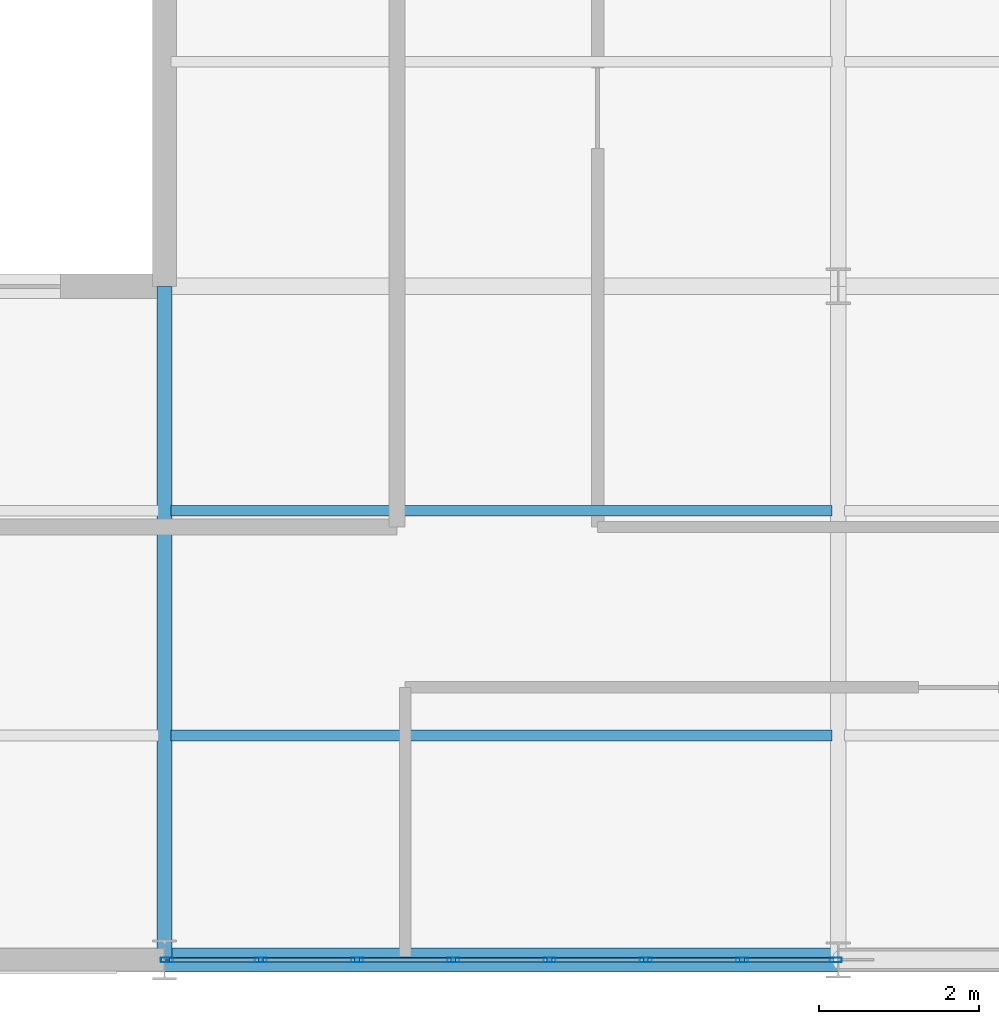
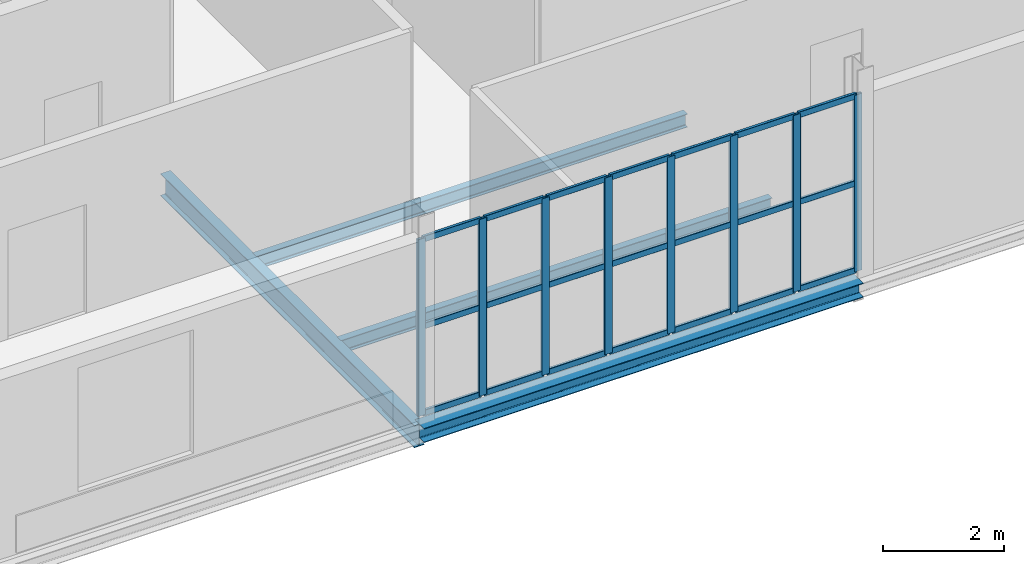
# One storey, part 18 of 69: 29 members, 4 beams, 1 element without a shape of its own.
"""IFC4 building model written with IfcOpenShell, lengths in metres."""

from ifc_helpers import new_model, si_unit, direction, frame, origin, origin_2d, place, context, subcontext, project, spatial, hollow_rectangle, i_section, extrude, material, layer, layer_set, material_profile, profile_set, type_object, element, aggregate, save


model = new_model("IFC4")

# Units and contexts
model_context = context("Model", 3, precision=1e-05, world=origin(), true_north=direction((0.0, 1.0)))
body_context = subcontext(model_context, "Body", "Model", "MODEL_VIEW")
ifc_project = project(units=[si_unit("LENGTHUNIT", "METRE"), si_unit("AREAUNIT", "SQUARE_METRE"), si_unit("VOLUMEUNIT", "CUBIC_METRE"), si_unit("PLANEANGLEUNIT", "RADIAN"), si_unit("MASSUNIT", "GRAM", prefix="KILO")], contexts=[model_context])

# Site, building, storey
site_placement = place(None, origin())
site = spatial("IfcSite", under=ifc_project, at=site_placement, CompositionType="ELEMENT")
building_placement = place(site_placement, origin())
building = spatial("IfcBuilding", under=site, at=building_placement, Name="Qalvenar Corner Mobility Hub", CompositionType="ELEMENT")
storey_placement = place(building_placement, frame((0.0, 0.0, 13.199951171875)))
storey = spatial("IfcBuildingStorey", under=building, at=storey_placement, Name="L03", CompositionType="ELEMENT", Elevation=13.199951171875)

# Beams
ifc_material_1 = material(Name="Steel S355", Category="steel")
ifc_material_profile_1 = material_profile(ifc_material_1, i_section(OverallWidth=0.18994140625, OverallDepth=0.449951171875, WebThickness=0.009521484375, FlangeThickness=0.0146484375, FilletRadius=0.02099609375, at=origin_2d()), Name="IPE450")
ifc_profile_set_1 = profile_set([ifc_material_profile_1], Name="Steel S355")
beam_type_1 = type_object("IfcBeamType", Name="BM-IPE450", PredefinedType="BEAM", material=ifc_profile_set_1)
beam_1_placement = place(storey_placement, frame((16.800048828125, 0.0, -0.405029296875), z_axis=(0.0, 1.0, 0.0), x_axis=(-1.0, 0.0, 0.0)))
element("IfcBeam", 1, at=beam_1_placement, inside=storey, type_object=beam_type_1, Name="Primary Steel Girder GY-2234", PredefinedType="BEAM", context=body_context, shape_type="SweptSolid", body=[
    extrude(i_section(OverallWidth=0.18994140625, OverallDepth=0.449951171875, WebThickness=0.009521484375, FlangeThickness=0.0146484375, FilletRadius=0.02099609375, at=origin_2d()), origin(), (0.0, 0.0, 1.0), 8.39990234375),
])
ifc_material_profile_2 = material_profile(ifc_material_1, i_section(OverallWidth=0.135009765625, OverallDepth=0.27001953125, WebThickness=0.006591796875, FlangeThickness=0.01025390625, FilletRadius=0.014892578125, at=origin_2d()), Name="IPE270")
ifc_profile_set_2 = profile_set([ifc_material_profile_2], Name="Steel S355")
beam_type_2 = type_object("IfcBeamType", Name="BM-JST270", PredefinedType="JOIST", material=ifc_profile_set_2)
for number, where, z_axis, x_axis, name in (
    (2, (16.8779296875, 2.800048828125, -0.31494140625), (1.0, 0.0, 0.0), (0.0, 1.0, 0.0), "Composite Floor Joist J-2278"),
    (3, (16.8779296875, 5.60009765625, -0.31494140625), (1.0, 0.0, 0.0), (0.0, 1.0, 0.0), "Composite Floor Joist J-2279"),
):
    element("IfcBeam", number, at=place(storey_placement, frame(where, z_axis=z_axis, x_axis=x_axis)), inside=storey, type_object=beam_type_2, Name=name, PredefinedType="JOIST", context=body_context, shape_type="SweptSolid", body=[
        extrude(i_section(OverallWidth=0.135009765625, OverallDepth=0.27001953125, WebThickness=0.006591796875, FlangeThickness=0.01025390625, FilletRadius=0.014892578125, at=origin_2d()), origin(), (0.0, 0.0, 1.0), 8.244140625),
    ])
ifc_material_profile_3 = material_profile(ifc_material_1, i_section(OverallWidth=0.300048828125, OverallDepth=0.2900390625, WebThickness=0.008544921875, FlangeThickness=0.013916015625, FilletRadius=0.027099609375, at=origin_2d()), Name="HEA300")
ifc_profile_set_3 = profile_set([ifc_material_profile_3], Name="Steel S355")
beam_type_3 = type_object("IfcBeamType", Name="BM-SPN300", PredefinedType="SPANDREL", material=ifc_profile_set_3)
beam_2_placement = place(storey_placement, frame((16.800048828125, 0.0, -0.324951171875), z_axis=(1.0, 0.0, 0.0), x_axis=(0.0, 1.0, 0.0)))
element("IfcBeam", 4, at=beam_2_placement, inside=storey, type_object=beam_type_3, Name="Primary Steel Girder GX-2190", PredefinedType="SPANDREL", context=body_context, shape_type="SweptSolid", body=[
    extrude(i_section(OverallWidth=0.300048828125, OverallDepth=0.2900390625, WebThickness=0.008544921875, FlangeThickness=0.013916015625, FilletRadius=0.027099609375, at=origin_2d()), origin(), (0.0, 0.0, 1.0), 8.39990234375),
])

# Curtain wall, members
ifc_material_2 = material(Name="Anodised Aluminium and Low-E Glazing", Category="aluminium")
ifc_layer = layer(ifc_material_2, 0.14990234375)
ifc_layer_set = layer_set([ifc_layer], Name="Anodised Aluminium and Low-E Glazing")
curtain_wall_type = type_object("IfcCurtainWallType", Name="CW-CIV-84X40", PredefinedType="NOTDEFINED", material=ifc_layer_set)
curtain_wall_placement = place(storey_placement, origin())
curtain_wall = element("IfcCurtainWall", 5, at=curtain_wall_placement, inside=storey, type_object=curtain_wall_type, Name="Glazed Curtain Wall CW-V3-L03-S2", PredefinedType="NOTDEFINED")
ifc_material_3 = material(Name="Anodised Aluminium 6063-T6", Category="aluminium")
ifc_material_profile_4 = material_profile(ifc_material_3, hollow_rectangle(XDim=0.06005859375, YDim=0.14990234375, WallThickness=0.00390625, InnerFilletRadius=0.00390625, OuterFilletRadius=0.008056640625, at=origin_2d()), Name="RHS150x60x4")
ifc_profile_set_4 = profile_set([ifc_material_profile_4], Name="Anodised Aluminium 6063-T6")
member_type_1 = type_object("IfcMemberType", Name="CW-MUL150", PredefinedType="MULLION", material=ifc_profile_set_4)
member_1_placement = place(storey_placement, frame((16.830078125, 0.0, 0.0), z_axis=(0.0, 0.0, 1.0), x_axis=(0.0, 1.0, 0.0)))
member_1 = element("IfcMember", 6, at=member_1_placement, type_object=member_type_1, Name="CW-05 mullion 1", PredefinedType="MULLION", context=body_context, shape_type="SweptSolid", body=[
    extrude(hollow_rectangle(XDim=0.06005859375, YDim=0.14990234375, WallThickness=0.00390625, InnerFilletRadius=0.00390625, OuterFilletRadius=0.008056640625, at=origin_2d()), origin(), (0.0, 0.0, 1.0), 3.570068359375),
])
member_2_placement = place(storey_placement, frame((18.0, 0.0, 0.0), z_axis=(0.0, 0.0, 1.0), x_axis=(0.0, 1.0, 0.0)))
member_2 = element("IfcMember", 7, at=member_2_placement, type_object=member_type_1, Name="CW-05 mullion 2", PredefinedType="MULLION", context=body_context, shape_type="SweptSolid", body=[
    extrude(hollow_rectangle(XDim=0.06005859375, YDim=0.14990234375, WallThickness=0.00390625, InnerFilletRadius=0.00390625, OuterFilletRadius=0.008056640625, at=origin_2d()), origin(), (0.0, 0.0, 1.0), 3.570068359375),
])
member_3_placement = place(storey_placement, frame((19.199951171875, 0.0, 0.0), z_axis=(0.0, 0.0, 1.0), x_axis=(0.0, 1.0, 0.0)))
member_3 = element("IfcMember", 8, at=member_3_placement, type_object=member_type_1, Name="CW-05 mullion 3", PredefinedType="MULLION", context=body_context, shape_type="SweptSolid", body=[
    extrude(hollow_rectangle(XDim=0.06005859375, YDim=0.14990234375, WallThickness=0.00390625, InnerFilletRadius=0.00390625, OuterFilletRadius=0.008056640625, at=origin_2d()), origin(), (0.0, 0.0, 1.0), 3.570068359375),
])
member_4_placement = place(storey_placement, frame((20.39990234375, 0.0, 0.0), z_axis=(0.0, 0.0, 1.0), x_axis=(0.0, 1.0, 0.0)))
member_4 = element("IfcMember", 9, at=member_4_placement, type_object=member_type_1, Name="CW-05 mullion 4", PredefinedType="MULLION", context=body_context, shape_type="SweptSolid", body=[
    extrude(hollow_rectangle(XDim=0.06005859375, YDim=0.14990234375, WallThickness=0.00390625, InnerFilletRadius=0.00390625, OuterFilletRadius=0.008056640625, at=origin_2d()), origin(), (0.0, 0.0, 1.0), 3.570068359375),
])
member_5_placement = place(storey_placement, frame((21.60009765625, 0.0, 0.0), z_axis=(0.0, 0.0, 1.0), x_axis=(0.0, 1.0, 0.0)))
member_5 = element("IfcMember", 10, at=member_5_placement, type_object=member_type_1, Name="CW-05 mullion 5", PredefinedType="MULLION", context=body_context, shape_type="SweptSolid", body=[
    extrude(hollow_rectangle(XDim=0.06005859375, YDim=0.14990234375, WallThickness=0.00390625, InnerFilletRadius=0.00390625, OuterFilletRadius=0.008056640625, at=origin_2d()), origin(), (0.0, 0.0, 1.0), 3.570068359375),
])
member_6_placement = place(storey_placement, frame((22.800048828125, 0.0, 0.0), z_axis=(0.0, 0.0, 1.0), x_axis=(0.0, 1.0, 0.0)))
member_6 = element("IfcMember", 11, at=member_6_placement, type_object=member_type_1, Name="CW-05 mullion 6", PredefinedType="MULLION", context=body_context, shape_type="SweptSolid", body=[
    extrude(hollow_rectangle(XDim=0.06005859375, YDim=0.14990234375, WallThickness=0.00390625, InnerFilletRadius=0.00390625, OuterFilletRadius=0.008056640625, at=origin_2d()), origin(), (0.0, 0.0, 1.0), 3.570068359375),
])
member_7_placement = place(storey_placement, frame((24.0, 0.0, 0.0), z_axis=(0.0, 0.0, 1.0), x_axis=(0.0, 1.0, 0.0)))
member_7 = element("IfcMember", 12, at=member_7_placement, type_object=member_type_1, Name="CW-05 mullion 7", PredefinedType="MULLION", context=body_context, shape_type="SweptSolid", body=[
    extrude(hollow_rectangle(XDim=0.06005859375, YDim=0.14990234375, WallThickness=0.00390625, InnerFilletRadius=0.00390625, OuterFilletRadius=0.008056640625, at=origin_2d()), origin(), (0.0, 0.0, 1.0), 3.570068359375),
])
member_8_placement = place(storey_placement, frame((25.169921875, 0.0, 0.0), z_axis=(0.0, 0.0, 1.0), x_axis=(0.0, 1.0, 0.0)))
member_8 = element("IfcMember", 13, at=member_8_placement, type_object=member_type_1, Name="CW-05 mullion 8", PredefinedType="MULLION", context=body_context, shape_type="SweptSolid", body=[
    extrude(hollow_rectangle(XDim=0.06005859375, YDim=0.14990234375, WallThickness=0.00390625, InnerFilletRadius=0.00390625, OuterFilletRadius=0.008056640625, at=origin_2d()), origin(), (0.0, 0.0, 1.0), 3.570068359375),
])
ifc_material_profile_5 = material_profile(ifc_material_3, hollow_rectangle(XDim=0.054931640625, YDim=0.1201171875, WallThickness=0.00341796875, InnerFilletRadius=0.00341796875, OuterFilletRadius=0.007080078125, at=origin_2d()), Name="RHS120x55x3.5")
ifc_profile_set_5 = profile_set([ifc_material_profile_5], Name="Anodised Aluminium 6063-T6")
member_type_2 = type_object("IfcMemberType", Name="CW-TRN120", PredefinedType="USERDEFINED", material=ifc_profile_set_5)
member_9_placement = place(storey_placement, frame((16.860107421875, 0.0, 0.027587890625), z_axis=(1.0, 0.0, 0.0), x_axis=(0.0, 1.0, 0.0)))
member_9 = element("IfcMember", 14, at=member_9_placement, type_object=member_type_2, Name="CW-05 transom 1.1", ObjectType="TRANSOM", PredefinedType="USERDEFINED", context=body_context, shape_type="SweptSolid", body=[
    extrude(hollow_rectangle(XDim=0.054931640625, YDim=0.1201171875, WallThickness=0.00341796875, InnerFilletRadius=0.00341796875, OuterFilletRadius=0.007080078125, at=origin_2d()), origin(), (0.0, 0.0, 1.0), 1.10986328125),
])
member_10_placement = place(storey_placement, frame((16.860107421875, 0.0, 1.78515625), z_axis=(1.0, 0.0, 0.0), x_axis=(0.0, 1.0, 0.0)))
member_10 = element("IfcMember", 15, at=member_10_placement, type_object=member_type_2, Name="CW-05 transom 1.2", ObjectType="TRANSOM", PredefinedType="USERDEFINED", context=body_context, shape_type="SweptSolid", body=[
    extrude(hollow_rectangle(XDim=0.054931640625, YDim=0.1201171875, WallThickness=0.00341796875, InnerFilletRadius=0.00341796875, OuterFilletRadius=0.007080078125, at=origin_2d()), origin(), (0.0, 0.0, 1.0), 1.10986328125),
])
member_11_placement = place(storey_placement, frame((16.860107421875, 0.0, 3.54248046875), z_axis=(1.0, 0.0, 0.0), x_axis=(0.0, 1.0, 0.0)))
member_11 = element("IfcMember", 16, at=member_11_placement, type_object=member_type_2, Name="CW-05 transom 1.3", ObjectType="TRANSOM", PredefinedType="USERDEFINED", context=body_context, shape_type="SweptSolid", body=[
    extrude(hollow_rectangle(XDim=0.054931640625, YDim=0.1201171875, WallThickness=0.00341796875, InnerFilletRadius=0.00341796875, OuterFilletRadius=0.007080078125, at=origin_2d()), origin(), (0.0, 0.0, 1.0), 1.10986328125),
])
member_12_placement = place(storey_placement, frame((18.030029296875, 0.0, 0.027587890625), z_axis=(1.0, 0.0, 0.0), x_axis=(0.0, 1.0, 0.0)))
member_12 = element("IfcMember", 17, at=member_12_placement, type_object=member_type_2, Name="CW-05 transom 2.1", ObjectType="TRANSOM", PredefinedType="USERDEFINED", context=body_context, shape_type="SweptSolid", body=[
    extrude(hollow_rectangle(XDim=0.054931640625, YDim=0.1201171875, WallThickness=0.00341796875, InnerFilletRadius=0.00341796875, OuterFilletRadius=0.007080078125, at=origin_2d()), origin(), (0.0, 0.0, 1.0), 1.139892578125),
])
member_13_placement = place(storey_placement, frame((18.030029296875, 0.0, 1.78515625), z_axis=(1.0, 0.0, 0.0), x_axis=(0.0, 1.0, 0.0)))
member_13 = element("IfcMember", 18, at=member_13_placement, type_object=member_type_2, Name="CW-05 transom 2.2", ObjectType="TRANSOM", PredefinedType="USERDEFINED", context=body_context, shape_type="SweptSolid", body=[
    extrude(hollow_rectangle(XDim=0.054931640625, YDim=0.1201171875, WallThickness=0.00341796875, InnerFilletRadius=0.00341796875, OuterFilletRadius=0.007080078125, at=origin_2d()), origin(), (0.0, 0.0, 1.0), 1.139892578125),
])
member_14_placement = place(storey_placement, frame((18.030029296875, 0.0, 3.54248046875), z_axis=(1.0, 0.0, 0.0), x_axis=(0.0, 1.0, 0.0)))
member_14 = element("IfcMember", 19, at=member_14_placement, type_object=member_type_2, Name="CW-05 transom 2.3", ObjectType="TRANSOM", PredefinedType="USERDEFINED", context=body_context, shape_type="SweptSolid", body=[
    extrude(hollow_rectangle(XDim=0.054931640625, YDim=0.1201171875, WallThickness=0.00341796875, InnerFilletRadius=0.00341796875, OuterFilletRadius=0.007080078125, at=origin_2d()), origin(), (0.0, 0.0, 1.0), 1.139892578125),
])
member_15_placement = place(storey_placement, frame((19.22998046875, 0.0, 0.027587890625), z_axis=(1.0, 0.0, 0.0), x_axis=(0.0, 1.0, 0.0)))
member_15 = element("IfcMember", 20, at=member_15_placement, type_object=member_type_2, Name="CW-05 transom 3.1", ObjectType="TRANSOM", PredefinedType="USERDEFINED", context=body_context, shape_type="SweptSolid", body=[
    extrude(hollow_rectangle(XDim=0.054931640625, YDim=0.1201171875, WallThickness=0.00341796875, InnerFilletRadius=0.00341796875, OuterFilletRadius=0.007080078125, at=origin_2d()), origin(), (0.0, 0.0, 1.0), 1.14013671875),
])
member_16_placement = place(storey_placement, frame((19.22998046875, 0.0, 1.78515625), z_axis=(1.0, 0.0, 0.0), x_axis=(0.0, 1.0, 0.0)))
member_16 = element("IfcMember", 21, at=member_16_placement, type_object=member_type_2, Name="CW-05 transom 3.2", ObjectType="TRANSOM", PredefinedType="USERDEFINED", context=body_context, shape_type="SweptSolid", body=[
    extrude(hollow_rectangle(XDim=0.054931640625, YDim=0.1201171875, WallThickness=0.00341796875, InnerFilletRadius=0.00341796875, OuterFilletRadius=0.007080078125, at=origin_2d()), origin(), (0.0, 0.0, 1.0), 1.14013671875),
])
member_17_placement = place(storey_placement, frame((19.22998046875, 0.0, 3.54248046875), z_axis=(1.0, 0.0, 0.0), x_axis=(0.0, 1.0, 0.0)))
member_17 = element("IfcMember", 22, at=member_17_placement, type_object=member_type_2, Name="CW-05 transom 3.3", ObjectType="TRANSOM", PredefinedType="USERDEFINED", context=body_context, shape_type="SweptSolid", body=[
    extrude(hollow_rectangle(XDim=0.054931640625, YDim=0.1201171875, WallThickness=0.00341796875, InnerFilletRadius=0.00341796875, OuterFilletRadius=0.007080078125, at=origin_2d()), origin(), (0.0, 0.0, 1.0), 1.14013671875),
])
member_18_placement = place(storey_placement, frame((20.429931640625, 0.0, 0.027587890625), z_axis=(1.0, 0.0, 0.0), x_axis=(0.0, 1.0, 0.0)))
member_18 = element("IfcMember", 23, at=member_18_placement, type_object=member_type_2, Name="CW-05 transom 4.1", ObjectType="TRANSOM", PredefinedType="USERDEFINED", context=body_context, shape_type="SweptSolid", body=[
    extrude(hollow_rectangle(XDim=0.054931640625, YDim=0.1201171875, WallThickness=0.00341796875, InnerFilletRadius=0.00341796875, OuterFilletRadius=0.007080078125, at=origin_2d()), origin(), (0.0, 0.0, 1.0), 1.14013671875),
])
member_19_placement = place(storey_placement, frame((20.429931640625, 0.0, 1.78515625), z_axis=(1.0, 0.0, 0.0), x_axis=(0.0, 1.0, 0.0)))
member_19 = element("IfcMember", 24, at=member_19_placement, type_object=member_type_2, Name="CW-05 transom 4.2", ObjectType="TRANSOM", PredefinedType="USERDEFINED", context=body_context, shape_type="SweptSolid", body=[
    extrude(hollow_rectangle(XDim=0.054931640625, YDim=0.1201171875, WallThickness=0.00341796875, InnerFilletRadius=0.00341796875, OuterFilletRadius=0.007080078125, at=origin_2d()), origin(), (0.0, 0.0, 1.0), 1.14013671875),
])
member_20_placement = place(storey_placement, frame((20.429931640625, 0.0, 3.54248046875), z_axis=(1.0, 0.0, 0.0), x_axis=(0.0, 1.0, 0.0)))
member_20 = element("IfcMember", 25, at=member_20_placement, type_object=member_type_2, Name="CW-05 transom 4.3", ObjectType="TRANSOM", PredefinedType="USERDEFINED", context=body_context, shape_type="SweptSolid", body=[
    extrude(hollow_rectangle(XDim=0.054931640625, YDim=0.1201171875, WallThickness=0.00341796875, InnerFilletRadius=0.00341796875, OuterFilletRadius=0.007080078125, at=origin_2d()), origin(), (0.0, 0.0, 1.0), 1.14013671875),
])
member_21_placement = place(storey_placement, frame((21.6298828125, 0.0, 0.027587890625), z_axis=(1.0, 0.0, 0.0), x_axis=(0.0, 1.0, 0.0)))
member_21 = element("IfcMember", 26, at=member_21_placement, type_object=member_type_2, Name="CW-05 transom 5.1", ObjectType="TRANSOM", PredefinedType="USERDEFINED", context=body_context, shape_type="SweptSolid", body=[
    extrude(hollow_rectangle(XDim=0.054931640625, YDim=0.1201171875, WallThickness=0.00341796875, InnerFilletRadius=0.00341796875, OuterFilletRadius=0.007080078125, at=origin_2d()), origin(), (0.0, 0.0, 1.0), 1.14013671875),
])
member_22_placement = place(storey_placement, frame((21.6298828125, 0.0, 1.78515625), z_axis=(1.0, 0.0, 0.0), x_axis=(0.0, 1.0, 0.0)))
member_22 = element("IfcMember", 27, at=member_22_placement, type_object=member_type_2, Name="CW-05 transom 5.2", ObjectType="TRANSOM", PredefinedType="USERDEFINED", context=body_context, shape_type="SweptSolid", body=[
    extrude(hollow_rectangle(XDim=0.054931640625, YDim=0.1201171875, WallThickness=0.00341796875, InnerFilletRadius=0.00341796875, OuterFilletRadius=0.007080078125, at=origin_2d()), origin(), (0.0, 0.0, 1.0), 1.14013671875),
])
member_23_placement = place(storey_placement, frame((21.6298828125, 0.0, 3.54248046875), z_axis=(1.0, 0.0, 0.0), x_axis=(0.0, 1.0, 0.0)))
member_23 = element("IfcMember", 28, at=member_23_placement, type_object=member_type_2, Name="CW-05 transom 5.3", ObjectType="TRANSOM", PredefinedType="USERDEFINED", context=body_context, shape_type="SweptSolid", body=[
    extrude(hollow_rectangle(XDim=0.054931640625, YDim=0.1201171875, WallThickness=0.00341796875, InnerFilletRadius=0.00341796875, OuterFilletRadius=0.007080078125, at=origin_2d()), origin(), (0.0, 0.0, 1.0), 1.14013671875),
])
member_24_placement = place(storey_placement, frame((22.830078125, 0.0, 0.027587890625), z_axis=(1.0, 0.0, 0.0), x_axis=(0.0, 1.0, 0.0)))
member_24 = element("IfcMember", 29, at=member_24_placement, type_object=member_type_2, Name="CW-05 transom 6.1", ObjectType="TRANSOM", PredefinedType="USERDEFINED", context=body_context, shape_type="SweptSolid", body=[
    extrude(hollow_rectangle(XDim=0.054931640625, YDim=0.1201171875, WallThickness=0.00341796875, InnerFilletRadius=0.00341796875, OuterFilletRadius=0.007080078125, at=origin_2d()), origin(), (0.0, 0.0, 1.0), 1.139892578125),
])
member_25_placement = place(storey_placement, frame((22.830078125, 0.0, 1.78515625), z_axis=(1.0, 0.0, 0.0), x_axis=(0.0, 1.0, 0.0)))
member_25 = element("IfcMember", 30, at=member_25_placement, type_object=member_type_2, Name="CW-05 transom 6.2", ObjectType="TRANSOM", PredefinedType="USERDEFINED", context=body_context, shape_type="SweptSolid", body=[
    extrude(hollow_rectangle(XDim=0.054931640625, YDim=0.1201171875, WallThickness=0.00341796875, InnerFilletRadius=0.00341796875, OuterFilletRadius=0.007080078125, at=origin_2d()), origin(), (0.0, 0.0, 1.0), 1.139892578125),
])
member_26_placement = place(storey_placement, frame((22.830078125, 0.0, 3.54248046875), z_axis=(1.0, 0.0, 0.0), x_axis=(0.0, 1.0, 0.0)))
member_26 = element("IfcMember", 31, at=member_26_placement, type_object=member_type_2, Name="CW-05 transom 6.3", ObjectType="TRANSOM", PredefinedType="USERDEFINED", context=body_context, shape_type="SweptSolid", body=[
    extrude(hollow_rectangle(XDim=0.054931640625, YDim=0.1201171875, WallThickness=0.00341796875, InnerFilletRadius=0.00341796875, OuterFilletRadius=0.007080078125, at=origin_2d()), origin(), (0.0, 0.0, 1.0), 1.139892578125),
])
member_27_placement = place(storey_placement, frame((24.030029296875, 0.0, 0.027587890625), z_axis=(1.0, 0.0, 0.0), x_axis=(0.0, 1.0, 0.0)))
member_27 = element("IfcMember", 32, at=member_27_placement, type_object=member_type_2, Name="CW-05 transom 7.1", ObjectType="TRANSOM", PredefinedType="USERDEFINED", context=body_context, shape_type="SweptSolid", body=[
    extrude(hollow_rectangle(XDim=0.054931640625, YDim=0.1201171875, WallThickness=0.00341796875, InnerFilletRadius=0.00341796875, OuterFilletRadius=0.007080078125, at=origin_2d()), origin(), (0.0, 0.0, 1.0), 1.10986328125),
])
member_28_placement = place(storey_placement, frame((24.030029296875, 0.0, 1.78515625), z_axis=(1.0, 0.0, 0.0), x_axis=(0.0, 1.0, 0.0)))
member_28 = element("IfcMember", 33, at=member_28_placement, type_object=member_type_2, Name="CW-05 transom 7.2", ObjectType="TRANSOM", PredefinedType="USERDEFINED", context=body_context, shape_type="SweptSolid", body=[
    extrude(hollow_rectangle(XDim=0.054931640625, YDim=0.1201171875, WallThickness=0.00341796875, InnerFilletRadius=0.00341796875, OuterFilletRadius=0.007080078125, at=origin_2d()), origin(), (0.0, 0.0, 1.0), 1.10986328125),
])
member_29_placement = place(storey_placement, frame((24.030029296875, 0.0, 3.54248046875), z_axis=(1.0, 0.0, 0.0), x_axis=(0.0, 1.0, 0.0)))
member_29 = element("IfcMember", 34, at=member_29_placement, type_object=member_type_2, Name="CW-05 transom 7.3", ObjectType="TRANSOM", PredefinedType="USERDEFINED", context=body_context, shape_type="SweptSolid", body=[
    extrude(hollow_rectangle(XDim=0.054931640625, YDim=0.1201171875, WallThickness=0.00341796875, InnerFilletRadius=0.00341796875, OuterFilletRadius=0.007080078125, at=origin_2d()), origin(), (0.0, 0.0, 1.0), 1.10986328125),
])
aggregate(curtain_wall, [member_1, member_2, member_3, member_4, member_5, member_6, member_7, member_8, member_9, member_10, member_11, member_12, member_13, member_14, member_15, member_16, member_17, member_18, member_19, member_20, member_21, member_22, member_23, member_24, member_25, member_26, member_27, member_28, member_29])

save(model, "model.ifc")
